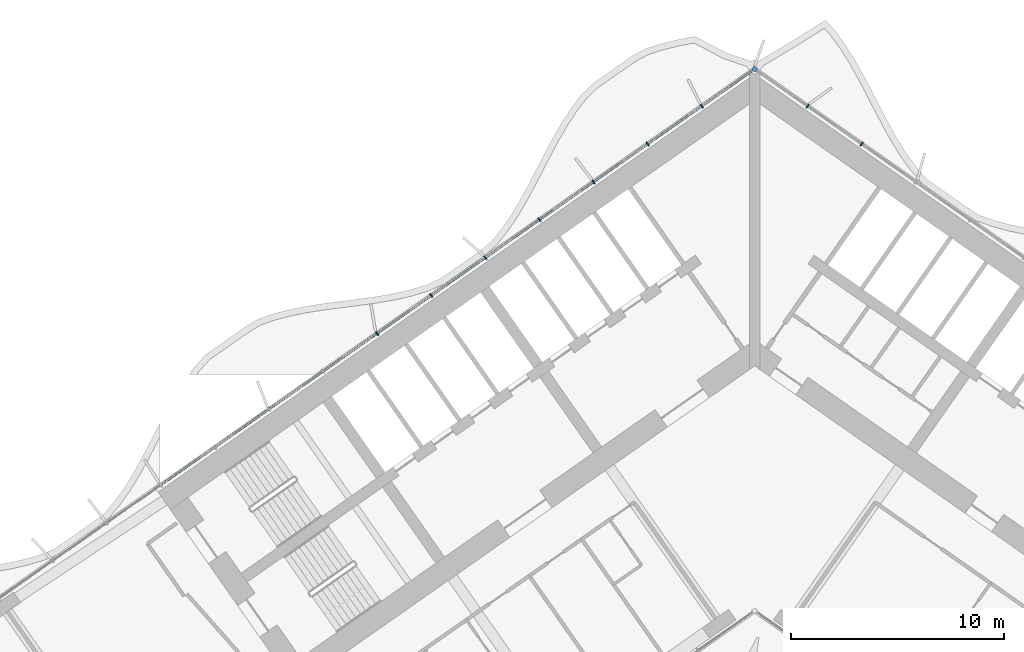
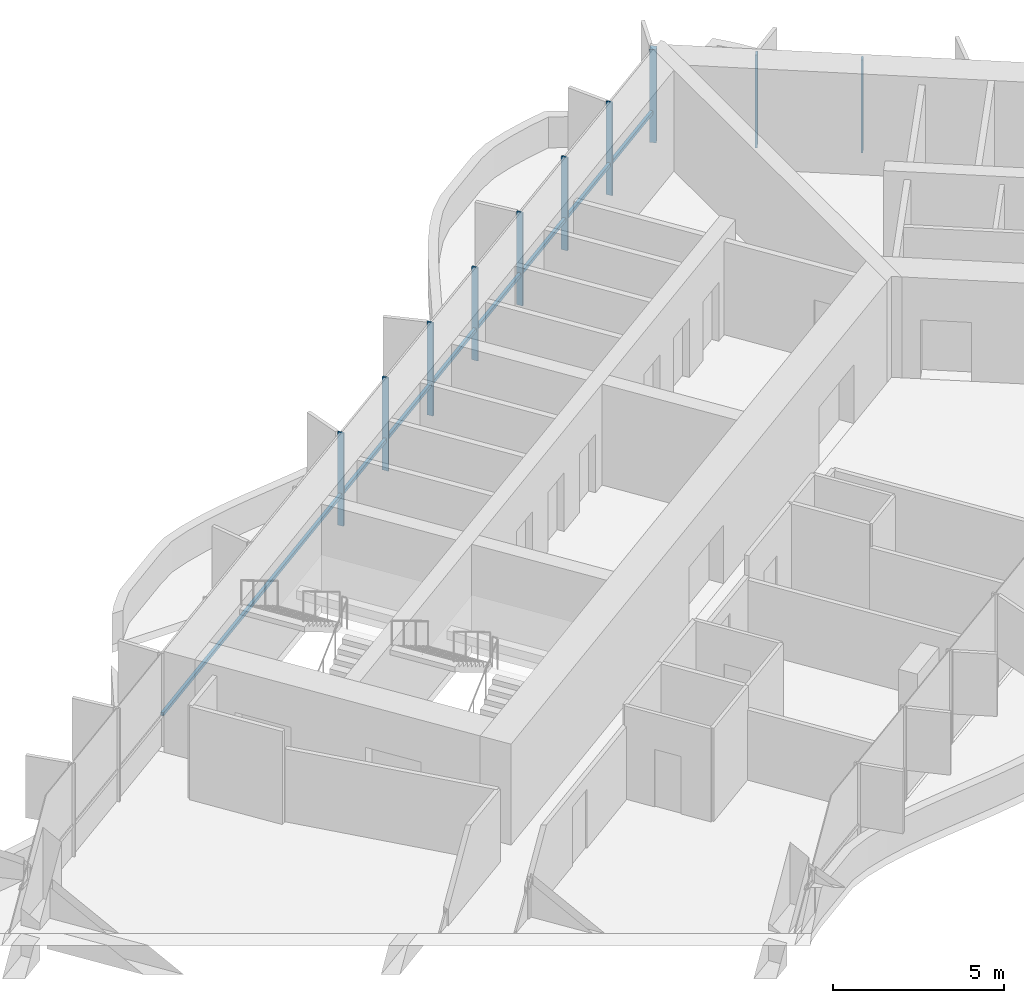
# One storey, part 7 of 25: 11 members, 1 element without a shape of its own.
"""IFC4 building model written with IfcOpenShell, lengths in metres."""

from ifc_helpers import new_model, si_unit, direction, frame, origin, origin_2d, place, context, subcontext, project, spatial, rectangle, extrude, material, material_profile, profile_set, type_object, element, aggregate, save


model = new_model("IFC4")

# Units and contexts
model_context = context("Model", 3, precision=1e-05, world=origin(), true_north=direction((0.0, 1.0)))
body_context = subcontext(model_context, "Body", "Model", "MODEL_VIEW")
ifc_project = project(units=[si_unit("LENGTHUNIT", "METRE"), si_unit("AREAUNIT", "SQUARE_METRE"), si_unit("VOLUMEUNIT", "CUBIC_METRE"), si_unit("PLANEANGLEUNIT", "RADIAN"), si_unit("MASSUNIT", "GRAM", prefix="KILO")], contexts=[model_context])

# Site, building, storey
site_placement = place(None, origin())
site = spatial("IfcSite", under=ifc_project, at=site_placement, CompositionType="ELEMENT")
building_placement = place(site_placement, origin())
building = spatial("IfcBuilding", under=site, at=building_placement, Name="Tel Ilan Convention Tower", CompositionType="ELEMENT")
storey_placement = place(building_placement, frame((0.0, 0.0, 97.699951171875)))
storey = spatial("IfcBuildingStorey", under=building, at=storey_placement, Name="L20", CompositionType="ELEMENT", Elevation=97.699951171875)

# Curtain wall, members
ifc_material_1 = material(Name="Aluminium, bronze anodised", Category="aluminium")
curtain_wall_type = type_object("IfcCurtainWallType", Name="CW2 STICK CURTAIN WALL, SPANDREL PANELS", PredefinedType="NOTDEFINED", material=ifc_material_1)
curtain_wall_placement = place(storey_placement, origin())
curtain_wall = element("IfcCurtainWall", 1, at=curtain_wall_placement, inside=storey, type_object=curtain_wall_type, Name="Curtain wall CW2-18.01", PredefinedType="NOTDEFINED")
ifc_material_2 = material(Name="Aluminium, bronze anodised", Category="aluminium")
ifc_material_profile_1 = material_profile(ifc_material_2, rectangle(XDim=0.199951171875, YDim=0.199951171875, at=origin_2d()), Name="CW CORNER MULLION 200x200")
ifc_profile_set_1 = profile_set([ifc_material_profile_1], Name="Aluminium, bronze anodised")
member_type_1 = type_object("IfcMemberType", Name="CW CORNER MULLION 200x200", PredefinedType="MULLION", material=ifc_profile_set_1)
member_1_placement = place(storey_placement, frame((0.0, 12.696044921875, 0.0), z_axis=(0.0, 0.0, 1.0), x_axis=(-0.819152044289, 0.573576436351, 0.0)))
member_1 = element("IfcMember", 2, at=member_1_placement, type_object=member_type_1, Name="Corner mullion", PredefinedType="MULLION", context=body_context, shape_type="SweptSolid", body=[
    extrude(rectangle(XDim=0.199951171875, YDim=0.199951171875, at=origin_2d()), origin(), (0.0, 0.0, 1.0), 3.320068359375),
])
ifc_material_3 = material(Name="Aluminium, bronze anodised", Category="aluminium")
ifc_material_profile_2 = material_profile(ifc_material_3, rectangle(XDim=0.06005859375, YDim=0.199951171875, at=origin_2d()), Name="CW MULLION 60x200")
ifc_profile_set_2 = profile_set([ifc_material_profile_2], Name="Aluminium, bronze anodised")
member_type_2 = type_object("IfcMemberType", Name="CW MULLION 60x200", PredefinedType="MULLION", material=ifc_profile_set_2)
member_2_placement = place(storey_placement, frame((5.0166015625, 9.18359375, 0.0), z_axis=(0.0, 0.0, 1.0), x_axis=(-0.819152044289, 0.573576436351, 0.0)))
member_2 = element("IfcMember", 3, at=member_2_placement, type_object=member_type_2, Name="Mullion", PredefinedType="MULLION", context=body_context, shape_type="SweptSolid", body=[
    extrude(rectangle(XDim=0.06005859375, YDim=0.199951171875, at=origin_2d()), origin(), (0.0, 0.0, 1.0), 3.320068359375),
])
member_3_placement = place(storey_placement, frame((2.4794921875, 10.9599609375, 0.0), z_axis=(0.0, 0.0, 1.0), x_axis=(-0.819152044289, 0.573576436351, 0.0)))
member_3 = element("IfcMember", 4, at=member_3_placement, type_object=member_type_2, Name="Mullion", PredefinedType="MULLION", context=body_context, shape_type="SweptSolid", body=[
    extrude(rectangle(XDim=0.06005859375, YDim=0.199951171875, at=origin_2d()), origin(), (0.0, 0.0, 1.0), 3.320068359375),
])
member_4_placement = place(storey_placement, frame((-2.4794921875, 10.9599609375, 0.0), z_axis=(0.0, 0.0, 1.0), x_axis=(-0.819152044289, -0.573576436351, 0.0)))
member_4 = element("IfcMember", 5, at=member_4_placement, type_object=member_type_2, Name="Mullion", PredefinedType="MULLION", context=body_context, shape_type="SweptSolid", body=[
    extrude(rectangle(XDim=0.06005859375, YDim=0.199951171875, at=origin_2d()), origin(), (0.0, 0.0, 1.0), 3.320068359375),
])
member_5_placement = place(storey_placement, frame((-5.0166015625, 9.18359375, 0.0), z_axis=(0.0, 0.0, 1.0), x_axis=(-0.819152044289, -0.573576436351, 0.0)))
member_5 = element("IfcMember", 6, at=member_5_placement, type_object=member_type_2, Name="Mullion", PredefinedType="MULLION", context=body_context, shape_type="SweptSolid", body=[
    extrude(rectangle(XDim=0.06005859375, YDim=0.199951171875, at=origin_2d()), origin(), (0.0, 0.0, 1.0), 3.320068359375),
])
member_6_placement = place(storey_placement, frame((-7.553466796875, 7.406982421875, 0.0), z_axis=(0.0, 0.0, 1.0), x_axis=(-0.819152044289, -0.573576436351, 0.0)))
member_6 = element("IfcMember", 7, at=member_6_placement, type_object=member_type_2, Name="Mullion", PredefinedType="MULLION", context=body_context, shape_type="SweptSolid", body=[
    extrude(rectangle(XDim=0.06005859375, YDim=0.199951171875, at=origin_2d()), origin(), (0.0, 0.0, 1.0), 3.320068359375),
])
member_7_placement = place(storey_placement, frame((-10.09033203125, 5.630615234375, 0.0), z_axis=(0.0, 0.0, 1.0), x_axis=(-0.819152044289, -0.573576436351, 0.0)))
member_7 = element("IfcMember", 8, at=member_7_placement, type_object=member_type_2, Name="Mullion", PredefinedType="MULLION", context=body_context, shape_type="SweptSolid", body=[
    extrude(rectangle(XDim=0.06005859375, YDim=0.199951171875, at=origin_2d()), origin(), (0.0, 0.0, 1.0), 3.320068359375),
])
member_8_placement = place(storey_placement, frame((-12.627197265625, 3.854248046875, 0.0), z_axis=(0.0, 0.0, 1.0), x_axis=(-0.819152044289, -0.573576436351, 0.0)))
member_8 = element("IfcMember", 9, at=member_8_placement, type_object=member_type_2, Name="Mullion", PredefinedType="MULLION", context=body_context, shape_type="SweptSolid", body=[
    extrude(rectangle(XDim=0.06005859375, YDim=0.199951171875, at=origin_2d()), origin(), (0.0, 0.0, 1.0), 3.320068359375),
])
member_9_placement = place(storey_placement, frame((-15.1640625, 2.077880859375, 0.0), z_axis=(0.0, 0.0, 1.0), x_axis=(-0.819152044289, -0.573576436351, 0.0)))
member_9 = element("IfcMember", 10, at=member_9_placement, type_object=member_type_2, Name="Mullion", PredefinedType="MULLION", context=body_context, shape_type="SweptSolid", body=[
    extrude(rectangle(XDim=0.06005859375, YDim=0.199951171875, at=origin_2d()), origin(), (0.0, 0.0, 1.0), 3.320068359375),
])
member_10_placement = place(storey_placement, frame((-17.701171875, 0.301513671875, 0.0), z_axis=(0.0, 0.0, 1.0), x_axis=(-0.819152044289, -0.573576436351, 0.0)))
member_10 = element("IfcMember", 11, at=member_10_placement, type_object=member_type_2, Name="Mullion", PredefinedType="MULLION", context=body_context, shape_type="SweptSolid", body=[
    extrude(rectangle(XDim=0.06005859375, YDim=0.199951171875, at=origin_2d()), origin(), (0.0, 0.0, 1.0), 3.320068359375),
])
ifc_material_4 = material(Name="Aluminium, bronze anodised", Category="aluminium")
ifc_material_profile_3 = material_profile(ifc_material_4, rectangle(XDim=0.10009765625, YDim=0.1201171875, at=origin_2d()), Name="CW TRANSOM 100x120")
ifc_profile_set_3 = profile_set([ifc_material_profile_3], Name="Aluminium, bronze anodised")
member_type_3 = type_object("IfcMemberType", Name="CW TRANSOM 100x120", PredefinedType="USERDEFINED", material=ifc_profile_set_3)
member_11_placement = place(storey_placement, frame((-0.1064453125, 12.62158203125, 1.10009765625), z_axis=(-0.819151916241, -0.573576619222, 0.0), x_axis=(0.573576619222, -0.819151916241, 0.0)))
member_11 = element("IfcMember", 12, at=member_11_placement, type_object=member_type_3, Name="Transom", ObjectType="TRANSOM", PredefinedType="USERDEFINED", context=body_context, shape_type="SweptSolid", body=[
    extrude(rectangle(XDim=0.10009765625, YDim=0.1201171875, at=origin_2d()), origin(), (0.0, 0.0, 1.0), 33.837158203125),
])
aggregate(curtain_wall, [member_2, member_3, member_1, member_4, member_5, member_6, member_7, member_8, member_9, member_10, member_11])

save(model, "model.ifc")
